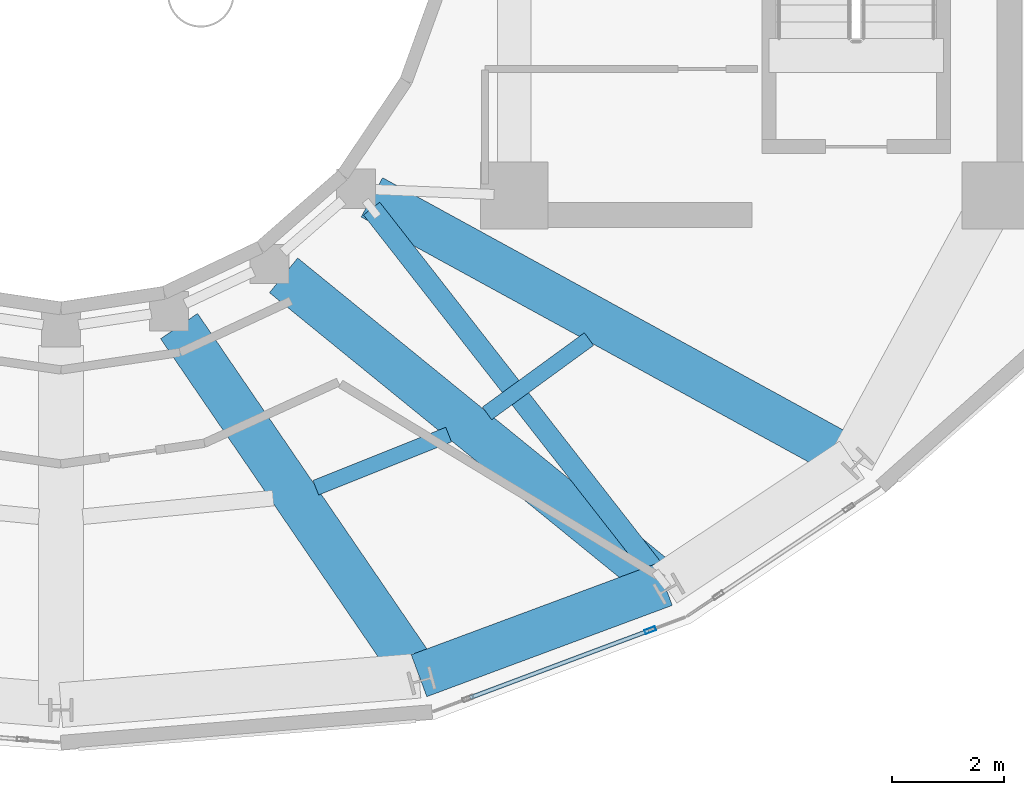
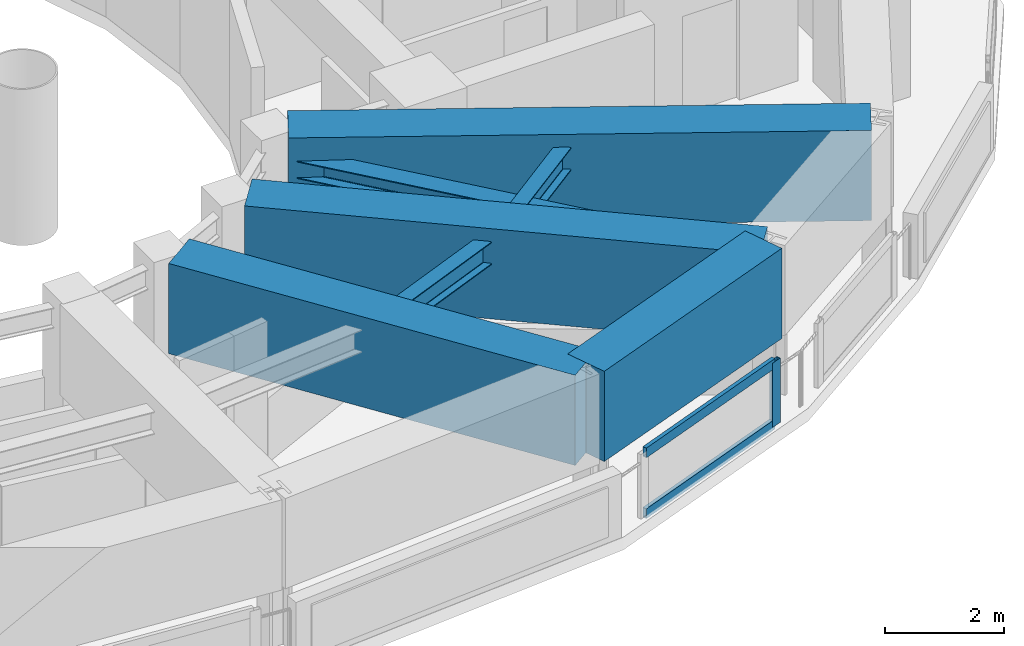
# One storey, part 5 of 18: 6 beams, 4 members, 1 element without a shape of its own.
"""IFC4 building model written with IfcOpenShell, lengths in metres."""

from ifc_helpers import new_model, si_unit, direction, frame, origin, origin_2d, place, context, subcontext, project, spatial, rectangle, hollow_rectangle, i_section, extrude, material, layer, layer_set, material_profile, profile_set, type_object, element, aggregate, save


model = new_model("IFC4")

# Units and contexts
model_context = context("Model", 3, precision=1e-05, world=origin(), true_north=direction((0.0, 1.0)))
body_context = subcontext(model_context, "Body", "Model", "MODEL_VIEW")
ifc_project = project(units=[si_unit("LENGTHUNIT", "METRE"), si_unit("AREAUNIT", "SQUARE_METRE"), si_unit("VOLUMEUNIT", "CUBIC_METRE"), si_unit("PLANEANGLEUNIT", "RADIAN"), si_unit("MASSUNIT", "GRAM", prefix="KILO")], contexts=[model_context])

# Site, building, storey
site_placement = place(None, origin())
site = spatial("IfcSite", under=ifc_project, at=site_placement, CompositionType="ELEMENT")
building_placement = place(site_placement, origin())
building = spatial("IfcBuilding", under=site, at=building_placement, Name="Solvane Sanctuary Tower", CompositionType="ELEMENT")
storey_placement = place(building_placement, frame((0.0, 0.0, 266.800048828125)))
storey = spatial("IfcBuildingStorey", under=building, at=storey_placement, Name="L81", CompositionType="ELEMENT", Elevation=266.800048828125)

# Beams
ifc_material_1 = material(Name="Steel ASTM A992 Grade 50", Category="steel")
ifc_material_profile_1 = material_profile(ifc_material_1, i_section(OverallWidth=0.280029296875, OverallDepth=0.462890625, WebThickness=0.0107421875, FlangeThickness=0.017333984375, FilletRadius=0.013916015625, at=origin_2d()), Name="W18X76")
ifc_profile_set_1 = profile_set([ifc_material_profile_1], Name="Steel ASTM A992 Grade 50")
beam_type_1 = type_object("IfcBeamType", Name="Beam B-SEC-JOIST W18X76", PredefinedType="JOIST", material=ifc_profile_set_1)
beam_1_placement = place(storey_placement, frame((36.553955078125, 11.676025390625, 2.70654296875), z_axis=(0.928509610191, 0.37130836751, 0.0), x_axis=(-0.37130836751, 0.928509610191, 0.0)))
element("IfcBeam", 1, at=beam_1_placement, inside=storey, type_object=beam_type_1, Name="L81 Secondary Circumferential Joist 12-13", PredefinedType="JOIST", context=body_context, shape_type="SweptSolid", body=[
    extrude(i_section(OverallWidth=0.280029296875, OverallDepth=0.462890625, WebThickness=0.0107421875, FlangeThickness=0.017333984375, FilletRadius=0.013916015625, at=origin_2d()), origin(), (0.0, 0.0, 1.0), 2.55712890625),
])
beam_2_placement = place(storey_placement, frame((39.6142578125, 13.0048828125, 2.70654296875), z_axis=(0.808051579257, 0.589111742593, 0.0), x_axis=(-0.589111742593, 0.808051579257, 0.0)))
element("IfcBeam", 2, at=beam_2_placement, inside=storey, type_object=beam_type_1, Name="L81 Secondary Circumferential Joist 13-14", PredefinedType="JOIST", context=body_context, shape_type="SweptSolid", body=[
    extrude(i_section(OverallWidth=0.280029296875, OverallDepth=0.462890625, WebThickness=0.0107421875, FlangeThickness=0.017333984375, FilletRadius=0.013916015625, at=origin_2d()), origin(), (0.0, 0.0, 1.0), 2.253662109375),
])
ifc_material_2 = material(Name="Concrete C70/85", Category="concrete")
ifc_material_profile_2 = material_profile(ifc_material_2, rectangle(XDim=0.800048828125, YDim=1.85009765625, at=origin_2d()), Name="RC800X1850")
ifc_profile_set_2 = profile_set([ifc_material_profile_2], Name="Concrete C70/85")
beam_type_2 = type_object("IfcBeamType", Name="Beam B-XFER-BLK RC800X1850", PredefinedType="BEAM", material=ifc_profile_set_2)
beam_3_placement = place(storey_placement, frame((34.111572265625, 14.564208984375, 2.27490234375), z_axis=(0.56454754389, -0.825400551664, 0.0), x_axis=(0.825400551664, 0.56454754389, 0.0)))
element("IfcBeam", 3, at=beam_3_placement, inside=storey, type_object=beam_type_2, Name="L81 Block-Shift Radial Transfer Girder 12A", PredefinedType="BEAM", context=body_context, shape_type="SweptSolid", body=[
    extrude(rectangle(XDim=0.800048828125, YDim=1.85009765625, at=origin_2d()), origin(), (0.0, 0.0, 1.0), 7.573486328125),
])
beam_4_placement = place(storey_placement, frame((35.978271484375, 15.471435546875, 2.27490234375), z_axis=(0.775601292697, -0.631223125976, 0.0), x_axis=(0.631223125976, 0.775601292697, 0.0)))
element("IfcBeam", 4, at=beam_4_placement, inside=storey, type_object=beam_type_2, Name="L81 Block-Shift Radial Transfer Girder 13A", PredefinedType="BEAM", context=body_context, shape_type="SweptSolid", body=[
    extrude(rectangle(XDim=0.800048828125, YDim=1.85009765625, at=origin_2d()), origin(), (0.0, 0.0, 1.0), 8.772705078125),
])
beam_5_placement = place(storey_placement, frame((37.5556640625, 16.8642578125, 2.27490234375), z_axis=(0.877118019925, -0.480274899534, 0.0), x_axis=(0.480274899534, 0.877118019925, 0.0)))
element("IfcBeam", 5, at=beam_5_placement, inside=storey, type_object=beam_type_2, Name="L81 Block-Shift Radial Transfer Girder 14A", PredefinedType="BEAM", context=body_context, shape_type="SweptSolid", body=[
    extrude(rectangle(XDim=0.800048828125, YDim=1.85009765625, at=origin_2d()), origin(), (0.0, 0.0, 1.0), 9.794189453125),
])
beam_6_placement = place(storey_placement, frame((38.398681640625, 8.318359375, 2.27490234375), z_axis=(0.937305510039, 0.348508795944, 0.0), x_axis=(-0.348508795944, 0.937305510039, 0.0)))
element("IfcBeam", 6, at=beam_6_placement, inside=storey, type_object=beam_type_2, Name="L81 Perimeter Step Transfer Ring NTC12-NTC13", PredefinedType="BEAM", context=body_context, shape_type="SweptSolid", body=[
    extrude(rectangle(XDim=0.800048828125, YDim=1.85009765625, at=origin_2d()), origin(), (0.0, 0.0, 1.0), 4.678955078125),
])

# Member
ifc_material_profile_3 = material_profile(ifc_material_1, i_section(OverallWidth=0.368896484375, OverallDepth=0.35595703125, WebThickness=0.01123046875, FlangeThickness=0.01806640625, FilletRadius=0.02490234375, at=origin_2d()), Name="W14X90")
ifc_profile_set_3 = profile_set([ifc_material_profile_3], Name="Steel ASTM A992 Grade 50")
member_type_1 = type_object("IfcMemberType", Name="Member M-CROWN-TIE W14X90", PredefinedType="CHORD", material=ifc_profile_set_3)
member_1_placement = place(storey_placement, frame((37.5546875, 16.66015625, 2.54052734375), z_axis=(0.615559369863, -0.787750922029, 0.023133244814), x_axis=(0.787961787944, 0.615724143379, 0.0)))
element("IfcMember", 7, at=member_1_placement, inside=storey, type_object=member_type_1, Name="L81 Crown Bracing Tie 14", PredefinedType="CHORD", context=body_context, shape_type="SweptSolid", body=[
    extrude(i_section(OverallWidth=0.368896484375, OverallDepth=0.35595703125, WebThickness=0.01123046875, FlangeThickness=0.01806640625, FilletRadius=0.02490234375, at=origin_2d()), origin(), (0.0, 0.0, 1.0), 8.400634765625),
])

# Curtain wall, members
ifc_material_3 = material(Name="Anodised Aluminium 6063-T6", Category="aluminium")
ifc_layer = layer(ifc_material_3, 0.219970703125, Name="Anodised Aluminium 6063-T6")
ifc_layer_set = layer_set([ifc_layer], Name="Anodised Aluminium 6063-T6")
curtain_wall_type = type_object("IfcCurtainWallType", Name="Curtain Wall CW-CROWN", PredefinedType="NOTDEFINED", material=ifc_layer_set)
curtain_wall_placement = place(storey_placement, origin())
curtain_wall = element("IfcCurtainWall", 8, at=curtain_wall_placement, inside=storey, type_object=curtain_wall_type, Name="L81 Crown Fritted Lantern Curtain Wall 19", PredefinedType="NOTDEFINED")
ifc_material_profile_4 = material_profile(ifc_material_3, hollow_rectangle(XDim=0.074951171875, YDim=0.199951171875, WallThickness=0.00390625, at=origin_2d()), Name="ALU200X75X4")
ifc_profile_set_4 = profile_set([ifc_material_profile_4], Name="Anodised Aluminium 6063-T6")
member_type_2 = type_object("IfcMemberType", Name="Member M-CW-MUL-1 ALU200X75X4", PredefinedType="MULLION", material=ifc_profile_set_4)
member_2_placement = place(storey_placement, frame((42.53125, 9.1318359375, 0.0), z_axis=(0.0, 0.0, 1.0), x_axis=(-0.350836569959, 0.93643670431, 0.0)))
member_2 = element("IfcMember", 9, at=member_2_placement, type_object=member_type_2, Name="CW-CROWN mullion 2", PredefinedType="MULLION", context=body_context, shape_type="SweptSolid", body=[
    extrude(hollow_rectangle(XDim=0.074951171875, YDim=0.199951171875, WallThickness=0.00390625, at=origin_2d()), origin(), (0.0, 0.0, 1.0), 1.320068359375),
])
ifc_material_profile_5 = material_profile(ifc_material_3, hollow_rectangle(XDim=0.074951171875, YDim=0.199951171875, WallThickness=0.00390625, at=origin_2d()), Name="ALU200X75X4")
ifc_profile_set_5 = profile_set([ifc_material_profile_5], Name="Anodised Aluminium 6063-T6")
member_type_3 = type_object("IfcMemberType", Name="Member M-CW-TRN-2 ALU200X75X4", PredefinedType="USERDEFINED", material=ifc_profile_set_5)
member_3_placement = place(storey_placement, frame((39.3095703125, 7.9248046875, 0.037353515625), z_axis=(0.936411707224, 0.35090328379, 0.0), x_axis=(-0.35090328379, 0.936411707224, 0.0)))
member_3 = element("IfcMember", 10, at=member_3_placement, type_object=member_type_3, Name="CW-CROWN transom 1.1", ObjectType="TRANSOM", PredefinedType="USERDEFINED", context=body_context, shape_type="SweptSolid", body=[
    extrude(hollow_rectangle(XDim=0.074951171875, YDim=0.199951171875, WallThickness=0.00390625, at=origin_2d()), origin(), (0.0, 0.0, 1.0), 3.40283203125),
])
member_4_placement = place(storey_placement, frame((39.3095703125, 7.9248046875, 1.282470703125), z_axis=(0.936411707224, 0.35090328379, 0.0), x_axis=(-0.35090328379, 0.936411707224, 0.0)))
member_4 = element("IfcMember", 11, at=member_4_placement, type_object=member_type_3, Name="CW-CROWN transom 1.2", ObjectType="TRANSOM", PredefinedType="USERDEFINED", context=body_context, shape_type="SweptSolid", body=[
    extrude(hollow_rectangle(XDim=0.074951171875, YDim=0.199951171875, WallThickness=0.00390625, at=origin_2d()), origin(), (0.0, 0.0, 1.0), 3.40283203125),
])
aggregate(curtain_wall, [member_2, member_3, member_4])

save(model, "model.ifc")
